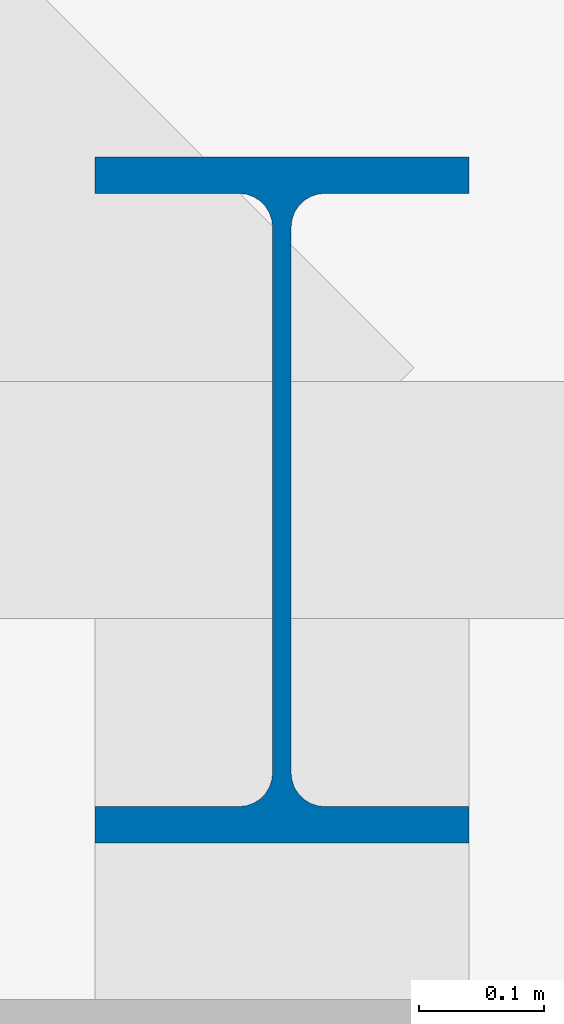
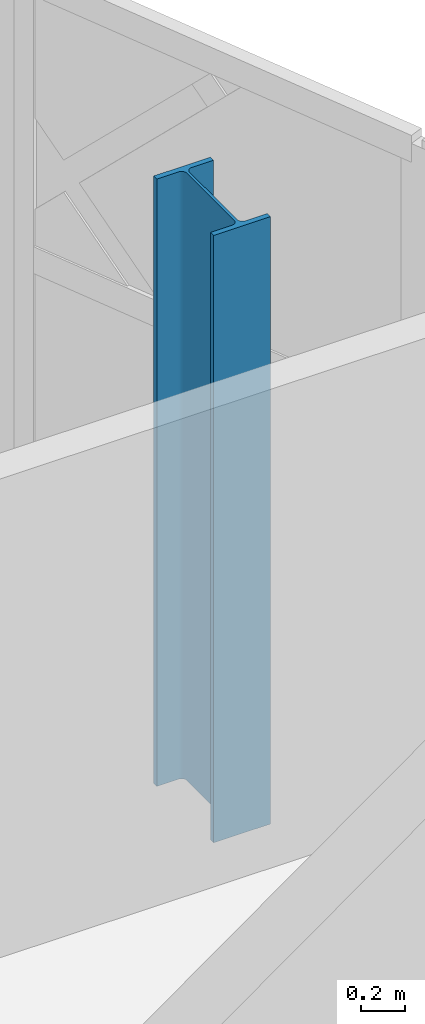
# One storey, part 4 of 50: 1 column.
"""IFC4 building model written with IfcOpenShell, lengths in metres."""

from ifc_helpers import new_model, si_unit, direction, frame, origin, origin_2d, place, context, subcontext, project, spatial, i_section, extrude, material, material_profile, profile_set, type_object, element, save


model = new_model("IFC4")

# Units and contexts
model_context = context("Model", 3, precision=1e-05, world=origin(), true_north=direction((0.0, 1.0)))
body_context = subcontext(model_context, "Body", "Model", "MODEL_VIEW")
ifc_project = project(units=[si_unit("LENGTHUNIT", "METRE"), si_unit("AREAUNIT", "SQUARE_METRE"), si_unit("VOLUMEUNIT", "CUBIC_METRE"), si_unit("PLANEANGLEUNIT", "RADIAN"), si_unit("MASSUNIT", "GRAM", prefix="KILO")], contexts=[model_context])

# Site, building, storey
site_placement = place(None, origin())
site = spatial("IfcSite", under=ifc_project, at=site_placement, CompositionType="ELEMENT")
building_placement = place(site_placement, origin())
building = spatial("IfcBuilding", under=site, at=building_placement, Name="Zevrakil Square Congress Hotel", CompositionType="ELEMENT")
storey_placement = place(building_placement, frame((0.0, 0.0, 21.5)))
storey = spatial("IfcBuildingStorey", under=building, at=storey_placement, Name="L06", CompositionType="ELEMENT", Elevation=21.5)

# Column
ifc_material = material(Name="Steel S355", Category="steel")
ifc_material_profile = material_profile(ifc_material, i_section(OverallWidth=0.300048828125, OverallDepth=0.550048828125, WebThickness=0.014892578125, FlangeThickness=0.029052734375, FilletRadius=0.027099609375, at=origin_2d()), Name="HEB 550")
ifc_profile_set = profile_set([ifc_material_profile], Name="Steel S355")
column_type = type_object("IfcColumnType", Name="COL-HEB550", PredefinedType="COLUMN", material=ifc_profile_set)
column_placement = place(storey_placement, frame((163.199951171875, 38.39990234375, 0.0), z_axis=(0.0, 0.0, 1.0), x_axis=(1.0, 0.0, 0.0)))
element("IfcColumn", 1, at=column_placement, inside=storey, type_object=column_type, Name="L06 drum column DC08", PredefinedType="COLUMN", context=body_context, shape_type="SweptSolid", body=[
    extrude(i_section(OverallWidth=0.300048828125, OverallDepth=0.550048828125, WebThickness=0.014892578125, FlangeThickness=0.029052734375, FilletRadius=0.027099609375, at=origin_2d()), origin(), (0.0, 0.0, 1.0), 3.39990234375),
])

save(model, "model.ifc")
